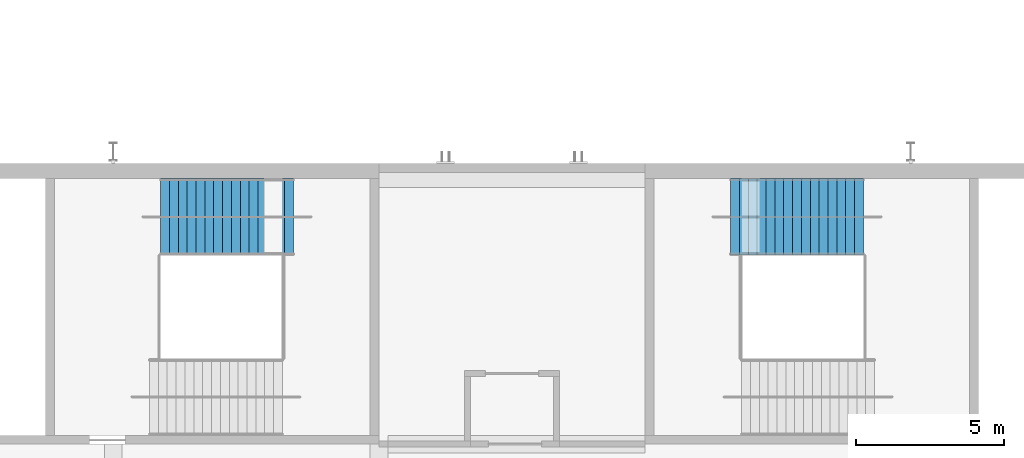
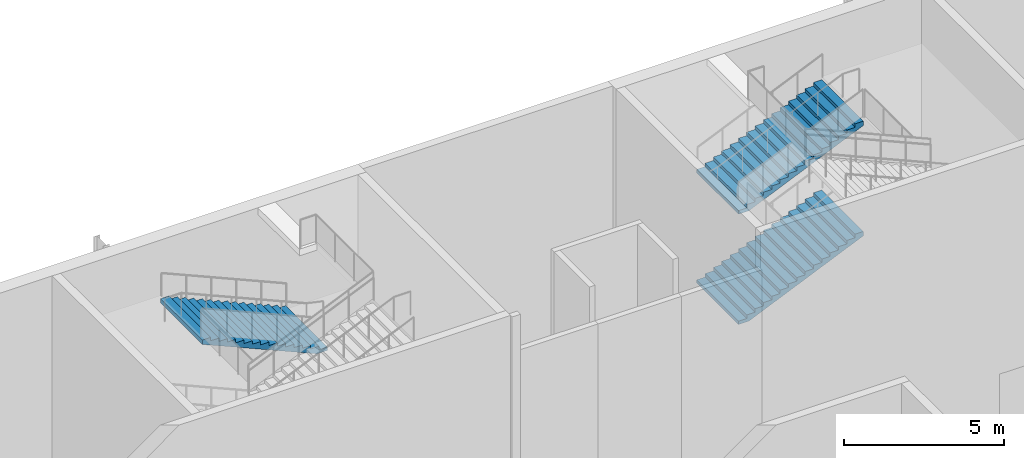
# One storey, part 102 of 182: 3 stair flights, 2 elements without a shape of their own.
"""IFC4 building model written with IfcOpenShell, lengths in metres."""

from ifc_helpers import new_model, si_unit, direction, frame, origin, place, context, subcontext, project, spatial, polyline, outline, extrude, material, type_object, element, aggregate, save


model = new_model("IFC4")

# Units and contexts
model_context = context("Model", 3, precision=1e-05, world=origin(), true_north=direction((0.0, 1.0)))
body_context = subcontext(model_context, "Body", "Model", "MODEL_VIEW")
ifc_project = project(units=[si_unit("LENGTHUNIT", "METRE"), si_unit("AREAUNIT", "SQUARE_METRE"), si_unit("VOLUMEUNIT", "CUBIC_METRE"), si_unit("PLANEANGLEUNIT", "RADIAN"), si_unit("MASSUNIT", "GRAM", prefix="KILO")], contexts=[model_context])

# Site, building, storey
site_placement = place(None, origin())
site = spatial("IfcSite", under=ifc_project, at=site_placement, CompositionType="ELEMENT")
building_placement = place(site_placement, origin())
building = spatial("IfcBuilding", under=site, at=building_placement, Name="Silverbay Arena", CompositionType="ELEMENT")
storey_placement = place(building_placement, frame((0.0, 0.0, 11.5)))
storey = spatial("IfcBuildingStorey", under=building, at=storey_placement, Name="L02", CompositionType="ELEMENT", Elevation=11.5)

# Stair, stair flight
ifc_material_1 = material(Name="Concrete Grade C45", Category="concrete")
stair_type = type_object("IfcStairType", Name="Stair 2600 wide 80 risers 131.2 x 300", PredefinedType="HALF_TURN_STAIR", material=ifc_material_1)
stair_1_placement = place(storey_placement, origin())
stair_1 = element("IfcStair", 1, at=stair_1_placement, inside=storey, type_object=stair_type, Name="Stair ST-N4 L02 to L03", PredefinedType="HALF_TURN_STAIR")
ifc_material_2 = material(Name="Concrete Grade C45", Category="concrete")
stair_flight_type = type_object("IfcStairFlightType", Name="Stair flight 2600 wide 16 risers 131.2 x 300", PredefinedType="STRAIGHT", material=ifc_material_2)
stair_flight_1_placement = place(storey_placement, frame((177.10009765625, 142.699951171875, 6.300048828125), z_axis=(0.0, 0.0, 1.0), x_axis=(-1.0, 0.0, 0.0)))
stair_flight_1 = element("IfcStairFlight", 2, at=stair_flight_1_placement, type_object=stair_flight_type, Name="Stair ST-N4 L02 to L03 flight 4", NumberOfRisers=16, NumberOfTreads=15, PredefinedType="STRAIGHT", RiserHeight=0.13125, TreadLength=0.3, context=body_context, shape_type="SweptSolid", body=[
    extrude(outline(polyline([(0.0, 0.0), (0.0, 0.13134765625), (0.300048828125, 0.13134765625), (0.300048828125, 0.262451171875), (0.60009765625, 0.262451171875), (0.60009765625, 0.393798828125), (0.89990234375, 0.393798828125), (0.89990234375, 0.52490234375), (1.199951171875, 0.52490234375), (1.199951171875, 0.65625), (1.5, 0.65625), (1.5, 0.78759765625), (1.800048828125, 0.78759765625), (1.800048828125, 0.918701171875), (2.10009765625, 0.918701171875), (2.10009765625, 1.050048828125), (2.39990234375, 1.050048828125), (2.39990234375, 1.18115234375), (2.699951171875, 1.18115234375), (2.699951171875, 1.3125), (3.0, 1.3125), (3.0, 1.44384765625), (3.300048828125, 1.44384765625), (3.300048828125, 1.574951171875), (3.60009765625, 1.574951171875), (3.60009765625, 1.706298828125), (3.89990234375, 1.706298828125), (3.89990234375, 1.83740234375), (4.199951171875, 1.83740234375), (4.199951171875, 1.96875), (4.5, 1.96875), (4.5, 1.80517578125), (0.3740234375, 0.0), (0.0, 0.0)])), frame((0.0, 1.300048828125, 0.0), z_axis=(0.0, -1.0, 0.0), x_axis=(1.0, 0.0, 0.0)), (0.0, 0.0, 1.0), 2.60009765625),
])
aggregate(stair_1, [stair_flight_1])

# Stair, stair flights
stair_2_placement = place(storey_placement, origin())
stair_2 = element("IfcStair", 3, at=stair_2_placement, inside=storey, type_object=stair_type, Name="Stair ST-N6 L02 to L03", PredefinedType="HALF_TURN_STAIR")
stair_flight_2_placement = place(storey_placement, frame((191.89990234375, 142.699951171875, 2.10009765625), z_axis=(0.0, 0.0, 1.0), x_axis=(1.0, 0.0, 0.0)))
stair_flight_2 = element("IfcStairFlight", 4, at=stair_flight_2_placement, type_object=stair_flight_type, Name="Stair ST-N6 L02 to L03 flight 2", NumberOfRisers=16, NumberOfTreads=15, PredefinedType="STRAIGHT", RiserHeight=0.13125, TreadLength=0.3, context=body_context, shape_type="SweptSolid", body=[
    extrude(outline(polyline([(0.0, 0.0), (0.0, 0.13134765625), (0.300048828125, 0.13134765625), (0.300048828125, 0.262451171875), (0.60009765625, 0.262451171875), (0.60009765625, 0.393798828125), (0.89990234375, 0.393798828125), (0.89990234375, 0.52490234375), (1.199951171875, 0.52490234375), (1.199951171875, 0.65625), (1.5, 0.65625), (1.5, 0.78759765625), (1.800048828125, 0.78759765625), (1.800048828125, 0.918701171875), (2.10009765625, 0.918701171875), (2.10009765625, 1.050048828125), (2.39990234375, 1.050048828125), (2.39990234375, 1.18115234375), (2.699951171875, 1.18115234375), (2.699951171875, 1.3125), (3.0, 1.3125), (3.0, 1.44384765625), (3.300048828125, 1.44384765625), (3.300048828125, 1.574951171875), (3.60009765625, 1.574951171875), (3.60009765625, 1.706298828125), (3.89990234375, 1.706298828125), (3.89990234375, 1.83740234375), (4.199951171875, 1.83740234375), (4.199951171875, 1.96875), (4.5, 1.96875), (4.5, 1.80517578125), (0.3740234375, 0.0), (0.0, 0.0)])), frame((0.0, 1.300048828125, 0.0), z_axis=(0.0, -1.0, 0.0), x_axis=(1.0, 0.0, 0.0)), (0.0, 0.0, 1.0), 2.60009765625),
])
stair_flight_3_placement = place(storey_placement, frame((191.89990234375, 142.699951171875, 6.300048828125), z_axis=(0.0, 0.0, 1.0), x_axis=(1.0, 0.0, 0.0)))
stair_flight_3 = element("IfcStairFlight", 5, at=stair_flight_3_placement, type_object=stair_flight_type, Name="Stair ST-N6 L02 to L03 flight 4", NumberOfRisers=16, NumberOfTreads=15, PredefinedType="STRAIGHT", RiserHeight=0.13125, TreadLength=0.3, context=body_context, shape_type="SweptSolid", body=[
    extrude(outline(polyline([(0.0, 0.0), (0.0, 0.13134765625), (0.300048828125, 0.13134765625), (0.300048828125, 0.262451171875), (0.60009765625, 0.262451171875), (0.60009765625, 0.393798828125), (0.89990234375, 0.393798828125), (0.89990234375, 0.52490234375), (1.199951171875, 0.52490234375), (1.199951171875, 0.65625), (1.5, 0.65625), (1.5, 0.78759765625), (1.800048828125, 0.78759765625), (1.800048828125, 0.918701171875), (2.10009765625, 0.918701171875), (2.10009765625, 1.050048828125), (2.39990234375, 1.050048828125), (2.39990234375, 1.18115234375), (2.699951171875, 1.18115234375), (2.699951171875, 1.3125), (3.0, 1.3125), (3.0, 1.44384765625), (3.300048828125, 1.44384765625), (3.300048828125, 1.574951171875), (3.60009765625, 1.574951171875), (3.60009765625, 1.706298828125), (3.89990234375, 1.706298828125), (3.89990234375, 1.83740234375), (4.199951171875, 1.83740234375), (4.199951171875, 1.96875), (4.5, 1.96875), (4.5, 1.80517578125), (0.3740234375, 0.0), (0.0, 0.0)])), frame((0.0, 1.300048828125, 0.0), z_axis=(0.0, -1.0, 0.0), x_axis=(1.0, 0.0, 0.0)), (0.0, 0.0, 1.0), 2.60009765625),
])
aggregate(stair_2, [stair_flight_2, stair_flight_3])

save(model, "model.ifc")
